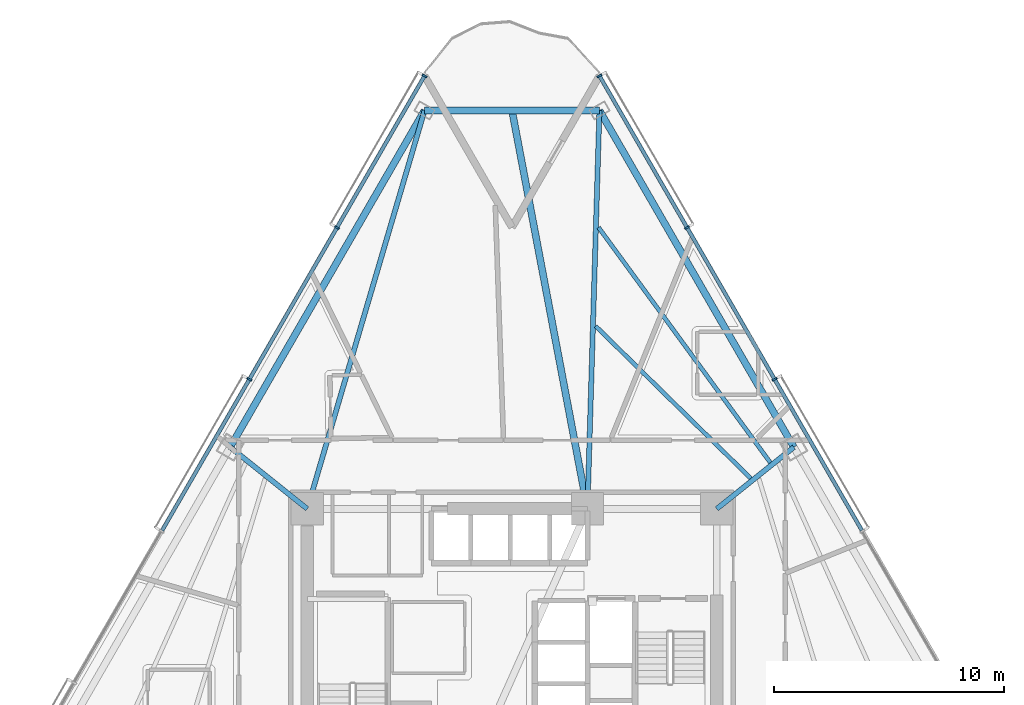
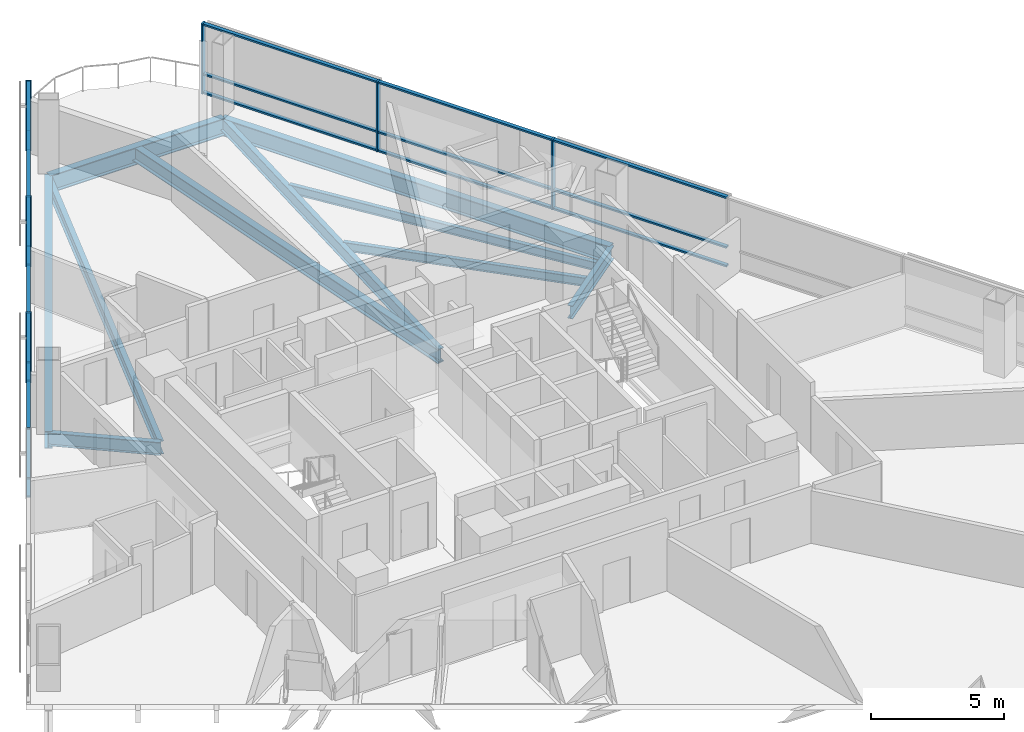
# One storey, part 5 of 16: 24 members, 10 beams, 2 elements without a shape of their own.
"""IFC4 building model written with IfcOpenShell, lengths in metres."""

from ifc_helpers import new_model, si_unit, direction, frame, origin, origin_2d, place, context, subcontext, project, spatial, rectangle, i_section, extrude, material, layer, layer_set, material_profile, profile_set, type_object, element, aggregate, save


model = new_model("IFC4")

# Units and contexts
model_context = context("Model", 3, precision=1e-05, world=origin(), true_north=direction((0.0, 1.0)))
body_context = subcontext(model_context, "Body", "Model", "MODEL_VIEW")
ifc_project = project(units=[si_unit("LENGTHUNIT", "METRE"), si_unit("AREAUNIT", "SQUARE_METRE"), si_unit("VOLUMEUNIT", "CUBIC_METRE"), si_unit("PLANEANGLEUNIT", "RADIAN"), si_unit("MASSUNIT", "GRAM", prefix="KILO")], contexts=[model_context])

# Site, building, storey
site_placement = place(None, origin())
site = spatial("IfcSite", under=ifc_project, at=site_placement, CompositionType="ELEMENT")
building_placement = place(site_placement, origin())
building = spatial("IfcBuilding", under=site, at=building_placement, Name="Tharavind Bronze Gate", CompositionType="ELEMENT")
storey_placement = place(building_placement, frame((0.0, 0.0, 42.050048828125)))
storey = spatial("IfcBuildingStorey", under=building, at=storey_placement, Name="L09", CompositionType="ELEMENT", Elevation=42.050048828125)

# Curtain wall, members
ifc_material_1 = material(Name="Anodised Bronze Aluminium", Category="aluminium")
ifc_layer = layer(ifc_material_1, 0.219970703125)
ifc_layer_set = layer_set([ifc_layer], Name="Anodised Bronze Aluminium")
curtain_wall_type = type_object("IfcCurtainWallType", Name="UNITISED CURTAIN WALL HOTEL", PredefinedType="USERDEFINED", material=ifc_layer_set)
curtain_wall_1_placement = place(storey_placement, origin())
curtain_wall_1 = element("IfcCurtainWall", 1, at=curtain_wall_1_placement, inside=storey, type_object=curtain_wall_type, Name="L09 unitised curtain wall hotel CW-L09-S1", ObjectType="UNITISED CURTAIN WALL", PredefinedType="USERDEFINED")
member_type_1 = type_object("IfcMemberType", Name="CURTAIN WALL MULLION 80X220", PredefinedType="MULLION", material=ifc_material_1)
member_1_placement = place(storey_placement, frame((-3.800048828125, 26.418212890625, 0.0), z_axis=(0.0, 0.0, 1.0), x_axis=(-0.500001511499, -0.866024531118, 0.0)))
member_1 = element("IfcMember", 2, at=member_1_placement, type_object=member_type_1, Name="CW-L09-S1 mullion 1", PredefinedType="MULLION", context=body_context, shape_type="SweptSolid", body=[
    extrude(rectangle(XDim=0.080078125, YDim=0.219970703125, at=origin_2d()), origin(), (0.0, 0.0, 1.0), 3.22509765625),
])
member_2_placement = place(storey_placement, frame((-7.60791015625, 19.822509765625, 0.0), z_axis=(0.0, 0.0, 1.0), x_axis=(-0.500001511499, -0.866024531118, 0.0)))
member_2 = element("IfcMember", 3, at=member_2_placement, type_object=member_type_1, Name="CW-L09-S1 mullion 2", PredefinedType="MULLION", context=body_context, shape_type="SweptSolid", body=[
    extrude(rectangle(XDim=0.080078125, YDim=0.219970703125, at=origin_2d()), origin(), (0.0, 0.0, 1.0), 3.22509765625),
])
member_3_placement = place(storey_placement, frame((-11.416015625, 13.22705078125, 0.0), z_axis=(0.0, 0.0, 1.0), x_axis=(-0.500001511499, -0.866024531118, 0.0)))
member_3 = element("IfcMember", 4, at=member_3_placement, type_object=member_type_1, Name="CW-L09-S1 mullion 3", PredefinedType="MULLION", context=body_context, shape_type="SweptSolid", body=[
    extrude(rectangle(XDim=0.080078125, YDim=0.219970703125, at=origin_2d()), origin(), (0.0, 0.0, 1.0), 3.22509765625),
])

curtain_wall_2_placement = place(storey_placement, origin())
curtain_wall_2 = element("IfcCurtainWall", 5, at=curtain_wall_2_placement, inside=storey, type_object=curtain_wall_type, Name="L09 unitised curtain wall hotel CW-L09-S3", ObjectType="UNITISED CURTAIN WALL", PredefinedType="USERDEFINED")
member_4_placement = place(storey_placement, frame((11.416015625, 13.22705078125, 0.0), z_axis=(0.0, 0.0, 1.0), x_axis=(-0.500001511499, 0.866024531118, 0.0)))
member_4 = element("IfcMember", 6, at=member_4_placement, type_object=member_type_1, Name="CW-L09-S3 mullion 6", PredefinedType="MULLION", context=body_context, shape_type="SweptSolid", body=[
    extrude(rectangle(XDim=0.080078125, YDim=0.219970703125, at=origin_2d()), origin(), (0.0, 0.0, 1.0), 3.22509765625),
])
member_5_placement = place(storey_placement, frame((7.60791015625, 19.822509765625, 0.0), z_axis=(0.0, 0.0, 1.0), x_axis=(-0.500001511499, 0.866024531118, 0.0)))
member_5 = element("IfcMember", 7, at=member_5_placement, type_object=member_type_1, Name="CW-L09-S3 mullion 7", PredefinedType="MULLION", context=body_context, shape_type="SweptSolid", body=[
    extrude(rectangle(XDim=0.080078125, YDim=0.219970703125, at=origin_2d()), origin(), (0.0, 0.0, 1.0), 3.22509765625),
])
member_6_placement = place(storey_placement, frame((3.800048828125, 26.418212890625, 0.0), z_axis=(0.0, 0.0, 1.0), x_axis=(-0.500001511499, 0.866024531118, 0.0)))
member_6 = element("IfcMember", 8, at=member_6_placement, type_object=member_type_1, Name="CW-L09-S3 mullion 8", PredefinedType="MULLION", context=body_context, shape_type="SweptSolid", body=[
    extrude(rectangle(XDim=0.080078125, YDim=0.219970703125, at=origin_2d()), origin(), (0.0, 0.0, 1.0), 3.22509765625),
])

# Member
member_type_2 = type_object("IfcMemberType", Name="CURTAIN WALL TRANSOM 80X160", PredefinedType="USERDEFINED", material=ifc_material_1)
member_7_placement = place(storey_placement, frame((-5.7041015625, 23.120361328125, 0.0), z_axis=(0.0, 0.0, 1.0), x_axis=(-0.500001511499, -0.866024531118, 0.0)))
member_7 = element("IfcMember", 9, at=member_7_placement, type_object=member_type_2, Name="CW-L09-S1 transom TB1", ObjectType="TRANSOM", PredefinedType="USERDEFINED", context=body_context, shape_type="SweptSolid", body=[
    extrude(rectangle(XDim=7.5478515625, YDim=0.159912109375, at=origin_2d()), origin(), (0.0, 0.0, 1.0), 0.080078125),
])

member_8_placement = place(storey_placement, frame((-5.7041015625, 23.120361328125, 0.85986328125), z_axis=(0.0, 0.0, 1.0), x_axis=(-0.500001511499, -0.866024531118, 0.0)))
member_8 = element("IfcMember", 10, at=member_8_placement, type_object=member_type_2, Name="CW-L09-S1 transom TS1", ObjectType="TRANSOM", PredefinedType="USERDEFINED", context=body_context, shape_type="SweptSolid", body=[
    extrude(rectangle(XDim=7.5478515625, YDim=0.159912109375, at=origin_2d()), origin(), (0.0, 0.0, 1.0), 0.080078125),
])

member_9_placement = place(storey_placement, frame((-5.7041015625, 23.120361328125, 3.14501953125), z_axis=(0.0, 0.0, 1.0), x_axis=(-0.500001511499, -0.866024531118, 0.0)))
member_9 = element("IfcMember", 11, at=member_9_placement, type_object=member_type_2, Name="CW-L09-S1 transom TT1", ObjectType="TRANSOM", PredefinedType="USERDEFINED", context=body_context, shape_type="SweptSolid", body=[
    extrude(rectangle(XDim=7.5478515625, YDim=0.159912109375, at=origin_2d()), origin(), (0.0, 0.0, 1.0), 0.080078125),
])

member_10_placement = place(storey_placement, frame((-9.511962890625, 16.52490234375, 0.0), z_axis=(0.0, 0.0, 1.0), x_axis=(-0.500001511499, -0.866024531118, 0.0)))
member_10 = element("IfcMember", 12, at=member_10_placement, type_object=member_type_2, Name="CW-L09-S1 transom TB2", ObjectType="TRANSOM", PredefinedType="USERDEFINED", context=body_context, shape_type="SweptSolid", body=[
    extrude(rectangle(XDim=7.5478515625, YDim=0.159912109375, at=origin_2d()), origin(), (0.0, 0.0, 1.0), 0.080078125),
])

member_11_placement = place(storey_placement, frame((-9.511962890625, 16.52490234375, 0.85986328125), z_axis=(0.0, 0.0, 1.0), x_axis=(-0.500001511499, -0.866024531118, 0.0)))
member_11 = element("IfcMember", 13, at=member_11_placement, type_object=member_type_2, Name="CW-L09-S1 transom TS2", ObjectType="TRANSOM", PredefinedType="USERDEFINED", context=body_context, shape_type="SweptSolid", body=[
    extrude(rectangle(XDim=7.5478515625, YDim=0.159912109375, at=origin_2d()), origin(), (0.0, 0.0, 1.0), 0.080078125),
])

member_12_placement = place(storey_placement, frame((-9.511962890625, 16.52490234375, 3.14501953125), z_axis=(0.0, 0.0, 1.0), x_axis=(-0.500001511499, -0.866024531118, 0.0)))
member_12 = element("IfcMember", 14, at=member_12_placement, type_object=member_type_2, Name="CW-L09-S1 transom TT2", ObjectType="TRANSOM", PredefinedType="USERDEFINED", context=body_context, shape_type="SweptSolid", body=[
    extrude(rectangle(XDim=7.5478515625, YDim=0.159912109375, at=origin_2d()), origin(), (0.0, 0.0, 1.0), 0.080078125),
])

member_13_placement = place(storey_placement, frame((-13.31982421875, 9.92919921875, 0.0), z_axis=(0.0, 0.0, 1.0), x_axis=(-0.500001511499, -0.866024531118, 0.0)))
member_13 = element("IfcMember", 15, at=member_13_placement, type_object=member_type_2, Name="CW-L09-S1 transom TB3", ObjectType="TRANSOM", PredefinedType="USERDEFINED", context=body_context, shape_type="SweptSolid", body=[
    extrude(rectangle(XDim=7.5478515625, YDim=0.159912109375, at=origin_2d()), origin(), (0.0, 0.0, 1.0), 0.080078125),
])

member_14_placement = place(storey_placement, frame((-13.31982421875, 9.92919921875, 0.85986328125), z_axis=(0.0, 0.0, 1.0), x_axis=(-0.500001511499, -0.866024531118, 0.0)))
member_14 = element("IfcMember", 16, at=member_14_placement, type_object=member_type_2, Name="CW-L09-S1 transom TS3", ObjectType="TRANSOM", PredefinedType="USERDEFINED", context=body_context, shape_type="SweptSolid", body=[
    extrude(rectangle(XDim=7.5478515625, YDim=0.159912109375, at=origin_2d()), origin(), (0.0, 0.0, 1.0), 0.080078125),
])

member_15_placement = place(storey_placement, frame((-13.31982421875, 9.92919921875, 3.14501953125), z_axis=(0.0, 0.0, 1.0), x_axis=(-0.500001511499, -0.866024531118, 0.0)))
member_15 = element("IfcMember", 17, at=member_15_placement, type_object=member_type_2, Name="CW-L09-S1 transom TT3", ObjectType="TRANSOM", PredefinedType="USERDEFINED", context=body_context, shape_type="SweptSolid", body=[
    extrude(rectangle(XDim=7.5478515625, YDim=0.159912109375, at=origin_2d()), origin(), (0.0, 0.0, 1.0), 0.080078125),
])

aggregate(curtain_wall_1, [member_1, member_2, member_3, member_7, member_8, member_9, member_10, member_11, member_12, member_13, member_14, member_15])

member_16_placement = place(storey_placement, frame((13.31982421875, 9.92919921875, 0.0), z_axis=(0.0, 0.0, 1.0), x_axis=(-0.500001511499, 0.866024531118, 0.0)))
member_16 = element("IfcMember", 18, at=member_16_placement, type_object=member_type_2, Name="CW-L09-S3 transom TB5", ObjectType="TRANSOM", PredefinedType="USERDEFINED", context=body_context, shape_type="SweptSolid", body=[
    extrude(rectangle(XDim=7.5478515625, YDim=0.159912109375, at=origin_2d()), origin(), (0.0, 0.0, 1.0), 0.080078125),
])

member_17_placement = place(storey_placement, frame((13.31982421875, 9.92919921875, 0.85986328125), z_axis=(0.0, 0.0, 1.0), x_axis=(-0.500001511499, 0.866024531118, 0.0)))
member_17 = element("IfcMember", 19, at=member_17_placement, type_object=member_type_2, Name="CW-L09-S3 transom TS5", ObjectType="TRANSOM", PredefinedType="USERDEFINED", context=body_context, shape_type="SweptSolid", body=[
    extrude(rectangle(XDim=7.5478515625, YDim=0.159912109375, at=origin_2d()), origin(), (0.0, 0.0, 1.0), 0.080078125),
])

member_18_placement = place(storey_placement, frame((13.31982421875, 9.92919921875, 3.14501953125), z_axis=(0.0, 0.0, 1.0), x_axis=(-0.500001511499, 0.866024531118, 0.0)))
member_18 = element("IfcMember", 20, at=member_18_placement, type_object=member_type_2, Name="CW-L09-S3 transom TT5", ObjectType="TRANSOM", PredefinedType="USERDEFINED", context=body_context, shape_type="SweptSolid", body=[
    extrude(rectangle(XDim=7.5478515625, YDim=0.159912109375, at=origin_2d()), origin(), (0.0, 0.0, 1.0), 0.080078125),
])

member_19_placement = place(storey_placement, frame((9.511962890625, 16.52490234375, 0.0), z_axis=(0.0, 0.0, 1.0), x_axis=(-0.500001511499, 0.866024531118, 0.0)))
member_19 = element("IfcMember", 21, at=member_19_placement, type_object=member_type_2, Name="CW-L09-S3 transom TB6", ObjectType="TRANSOM", PredefinedType="USERDEFINED", context=body_context, shape_type="SweptSolid", body=[
    extrude(rectangle(XDim=7.5478515625, YDim=0.159912109375, at=origin_2d()), origin(), (0.0, 0.0, 1.0), 0.080078125),
])

member_20_placement = place(storey_placement, frame((9.511962890625, 16.52490234375, 0.85986328125), z_axis=(0.0, 0.0, 1.0), x_axis=(-0.500001511499, 0.866024531118, 0.0)))
member_20 = element("IfcMember", 22, at=member_20_placement, type_object=member_type_2, Name="CW-L09-S3 transom TS6", ObjectType="TRANSOM", PredefinedType="USERDEFINED", context=body_context, shape_type="SweptSolid", body=[
    extrude(rectangle(XDim=7.5478515625, YDim=0.159912109375, at=origin_2d()), origin(), (0.0, 0.0, 1.0), 0.080078125),
])

member_21_placement = place(storey_placement, frame((9.511962890625, 16.52490234375, 3.14501953125), z_axis=(0.0, 0.0, 1.0), x_axis=(-0.500001511499, 0.866024531118, 0.0)))
member_21 = element("IfcMember", 23, at=member_21_placement, type_object=member_type_2, Name="CW-L09-S3 transom TT6", ObjectType="TRANSOM", PredefinedType="USERDEFINED", context=body_context, shape_type="SweptSolid", body=[
    extrude(rectangle(XDim=7.5478515625, YDim=0.159912109375, at=origin_2d()), origin(), (0.0, 0.0, 1.0), 0.080078125),
])

member_22_placement = place(storey_placement, frame((5.7041015625, 23.120361328125, 0.0), z_axis=(0.0, 0.0, 1.0), x_axis=(-0.500001511499, 0.866024531118, 0.0)))
member_22 = element("IfcMember", 24, at=member_22_placement, type_object=member_type_2, Name="CW-L09-S3 transom TB7", ObjectType="TRANSOM", PredefinedType="USERDEFINED", context=body_context, shape_type="SweptSolid", body=[
    extrude(rectangle(XDim=7.5478515625, YDim=0.159912109375, at=origin_2d()), origin(), (0.0, 0.0, 1.0), 0.080078125),
])

member_23_placement = place(storey_placement, frame((5.7041015625, 23.120361328125, 0.85986328125), z_axis=(0.0, 0.0, 1.0), x_axis=(-0.500001511499, 0.866024531118, 0.0)))
member_23 = element("IfcMember", 25, at=member_23_placement, type_object=member_type_2, Name="CW-L09-S3 transom TS7", ObjectType="TRANSOM", PredefinedType="USERDEFINED", context=body_context, shape_type="SweptSolid", body=[
    extrude(rectangle(XDim=7.5478515625, YDim=0.159912109375, at=origin_2d()), origin(), (0.0, 0.0, 1.0), 0.080078125),
])

member_24_placement = place(storey_placement, frame((5.7041015625, 23.120361328125, 3.14501953125), z_axis=(0.0, 0.0, 1.0), x_axis=(-0.500001511499, 0.866024531118, 0.0)))
member_24 = element("IfcMember", 26, at=member_24_placement, type_object=member_type_2, Name="CW-L09-S3 transom TT7", ObjectType="TRANSOM", PredefinedType="USERDEFINED", context=body_context, shape_type="SweptSolid", body=[
    extrude(rectangle(XDim=7.5478515625, YDim=0.159912109375, at=origin_2d()), origin(), (0.0, 0.0, 1.0), 0.080078125),
])

aggregate(curtain_wall_2, [member_4, member_5, member_6, member_16, member_17, member_18, member_19, member_20, member_21, member_22, member_23, member_24])

# Beams
ifc_material_2 = material(Name="Steel S355", Category="steel")
ifc_material_profile_1 = material_profile(ifc_material_2, i_section(OverallWidth=0.300048828125, OverallDepth=0.64990234375, WebThickness=0.01611328125, FlangeThickness=0.031005859375, at=origin_2d()), Name="HE650B")
ifc_profile_set_1 = profile_set([ifc_material_profile_1], Name="Steel S355")
beam_type_1 = type_object("IfcBeamType", Name="PRIMARY GIRDER HE650B", PredefinedType="USERDEFINED", material=ifc_profile_set_1)
beam_1_placement = place(storey_placement, frame((3.280029296875, 7.60009765625, -0.5), z_axis=(-0.186090445171, 0.982532618398, 0.0), x_axis=(-0.982532618398, -0.186090445171, 0.0)))
element("IfcBeam", 27, at=beam_1_placement, inside=storey, type_object=beam_type_1, Name="L09 primary girder he650b BM-L09-BLCSB", ObjectType="GIRDER", PredefinedType="USERDEFINED", context=body_context, shape_type="SweptSolid", body=[
    extrude(i_section(OverallWidth=0.300048828125, OverallDepth=0.64990234375, WebThickness=0.01611328125, FlangeThickness=0.031005859375, at=origin_2d()), origin(), (0.0, 0.0, 1.0), 17.6259765625),
])
ifc_material_profile_2 = material_profile(ifc_material_2, i_section(OverallWidth=0.219970703125, OverallDepth=0.60009765625, WebThickness=0.011962890625, FlangeThickness=0.01904296875, at=origin_2d()), Name="IPE600")
ifc_profile_set_2 = profile_set([ifc_material_profile_2], Name="Steel S355")
beam_type_2 = type_object("IfcBeamType", Name="PRIMARY GIRDER IPE600", PredefinedType="USERDEFINED", material=ifc_profile_set_2)
beam_2_placement = place(storey_placement, frame((-3.800048828125, 24.918212890625, -0.47509765625), z_axis=(-0.282486989934, -0.959271129826, 0.0), x_axis=(0.959271129826, -0.282486989934, 0.0)))
element("IfcBeam", 28, at=beam_2_placement, inside=storey, type_object=beam_type_2, Name="L09 primary girder ipe600 BM-L09-RAD01", ObjectType="GIRDER", PredefinedType="USERDEFINED", context=body_context, shape_type="SweptSolid", body=[
    extrude(i_section(OverallWidth=0.219970703125, OverallDepth=0.60009765625, WebThickness=0.011962890625, FlangeThickness=0.01904296875, at=origin_2d()), origin(), (0.0, 0.0, 1.0), 18.053466796875),
])
for number, where, z_axis, x_axis, name in (
    (29, (-12.252197265625, 10.278564453125, -0.47509765625), (0.781251676118, -0.62421616333, 0.0), (0.62421616333, 0.781251676118, 0.0), "L09 primary girder ipe600 BM-L09-RAD02"),
    (30, (12.252197265625, 10.278564453125, -0.47509765625), (-0.781251676118, -0.62421616333, 0.0), (0.62421616333, -0.781251676118, 0.0), "L09 primary girder ipe600 BM-L09-RAD11"),
):
    element("IfcBeam", number, at=place(storey_placement, frame(where, z_axis=z_axis, x_axis=x_axis)), inside=storey, type_object=beam_type_2, Name=name, ObjectType="GIRDER", PredefinedType="USERDEFINED", context=body_context, shape_type="SweptSolid", body=[
        extrude(i_section(OverallWidth=0.219970703125, OverallDepth=0.60009765625, WebThickness=0.011962890625, FlangeThickness=0.01904296875, at=origin_2d()), origin(), (0.0, 0.0, 1.0), 4.291015625),
    ])
beam_3_placement = place(storey_placement, frame((3.800048828125, 24.918212890625, -0.47509765625), z_axis=(-0.030013961958, -0.999549479559, 0.0), x_axis=(0.999549479559, -0.030013961958, 0.0)))
element("IfcBeam", 31, at=beam_3_placement, inside=storey, type_object=beam_type_2, Name="L09 primary girder ipe600 BM-L09-RAD12", ObjectType="GIRDER", PredefinedType="USERDEFINED", context=body_context, shape_type="SweptSolid", body=[
    extrude(i_section(OverallWidth=0.219970703125, OverallDepth=0.60009765625, WebThickness=0.011962890625, FlangeThickness=0.01904296875, at=origin_2d()), origin(), (0.0, 0.0, 1.0), 17.325927734375),
])
ifc_material_profile_3 = material_profile(ifc_material_2, i_section(OverallWidth=0.300048828125, OverallDepth=0.800048828125, WebThickness=0.017578125, FlangeThickness=0.032958984375, at=origin_2d()), Name="HE800B")
ifc_profile_set_3 = profile_set([ifc_material_profile_3], Name="Steel S355")
beam_type_3 = type_object("IfcBeamType", Name="RING GIRDER HE800B", PredefinedType="USERDEFINED", material=ifc_profile_set_3)
for number, where, z_axis, x_axis, name in (
    (32, (-3.800048828125, 24.918212890625, -0.574951171875), (-0.499997491977, -0.866026851788, 0.0), (0.866026851788, -0.499997491977, 0.0), "L09 ring girder he800b BM-L09-PRG01"),
    (33, (12.252197265625, 10.278564453125, -0.574951171875), (-0.499997491977, 0.866026851788, 0.0), (-0.866026851788, -0.499997491977, 0.0), "L09 ring girder he800b BM-L09-PRG11"),
):
    element("IfcBeam", number, at=place(storey_placement, frame(where, z_axis=z_axis, x_axis=x_axis)), inside=storey, type_object=beam_type_3, Name=name, ObjectType="GIRDER", PredefinedType="USERDEFINED", context=body_context, shape_type="SweptSolid", body=[
        extrude(i_section(OverallWidth=0.300048828125, OverallDepth=0.800048828125, WebThickness=0.017578125, FlangeThickness=0.032958984375, at=origin_2d()), origin(), (0.0, 0.0, 1.0), 16.904296875),
    ])
beam_4_placement = place(storey_placement, frame((3.800048828125, 24.918212890625, -0.574951171875), z_axis=(-1.0, 0.0, 0.0), x_axis=(0.0, -1.0, 0.0)))
element("IfcBeam", 34, at=beam_4_placement, inside=storey, type_object=beam_type_3, Name="L09 ring girder he800b BM-L09-PRG12", ObjectType="GIRDER", PredefinedType="USERDEFINED", context=body_context, shape_type="SweptSolid", body=[
    extrude(i_section(OverallWidth=0.300048828125, OverallDepth=0.800048828125, WebThickness=0.017578125, FlangeThickness=0.032958984375, at=origin_2d()), origin(), (0.0, 0.0, 1.0), 7.60009765625),
])
ifc_material_profile_4 = material_profile(ifc_material_2, i_section(OverallWidth=0.179931640625, OverallDepth=0.39990234375, WebThickness=0.008544921875, FlangeThickness=0.013427734375, at=origin_2d()), Name="IPE400")
ifc_profile_set_4 = profile_set([ifc_material_profile_4], Name="Steel S355")
beam_type_4 = type_object("IfcBeamType", Name="SECONDARY FLOOR JOIST IPE400", PredefinedType="JOIST", material=ifc_profile_set_4)
beam_5_placement = place(storey_placement, frame((10.376953125, 8.92578125, -0.375), z_axis=(-0.713727372998, 0.700423612561, 0.0), x_axis=(-0.700423612561, -0.713727372998, 0.0)))
element("IfcBeam", 35, at=beam_5_placement, inside=storey, type_object=beam_type_4, Name="L09 secondary floor joist ipe400 BM-L09-JSTA11", PredefinedType="JOIST", context=body_context, shape_type="SweptSolid", body=[
    extrude(i_section(OverallWidth=0.179931640625, OverallDepth=0.39990234375, WebThickness=0.008544921875, FlangeThickness=0.013427734375, at=origin_2d()), origin(), (0.0, 0.0, 1.0), 9.450927734375),
])
beam_6_placement = place(storey_placement, frame((11.2294921875, 9.607421875, -0.375), z_axis=(-0.589794717955, 0.807553212285, 0.0), x_axis=(-0.807553212285, -0.589794717955, 0.0)))
element("IfcBeam", 36, at=beam_6_placement, inside=storey, type_object=beam_type_4, Name="L09 secondary floor joist ipe400 BM-L09-JSTB11", PredefinedType="JOIST", context=body_context, shape_type="SweptSolid", body=[
    extrude(i_section(OverallWidth=0.179931640625, OverallDepth=0.39990234375, WebThickness=0.008544921875, FlangeThickness=0.013427734375, at=origin_2d()), origin(), (0.0, 0.0, 1.0), 12.66455078125),
])

save(model, "model.ifc")
